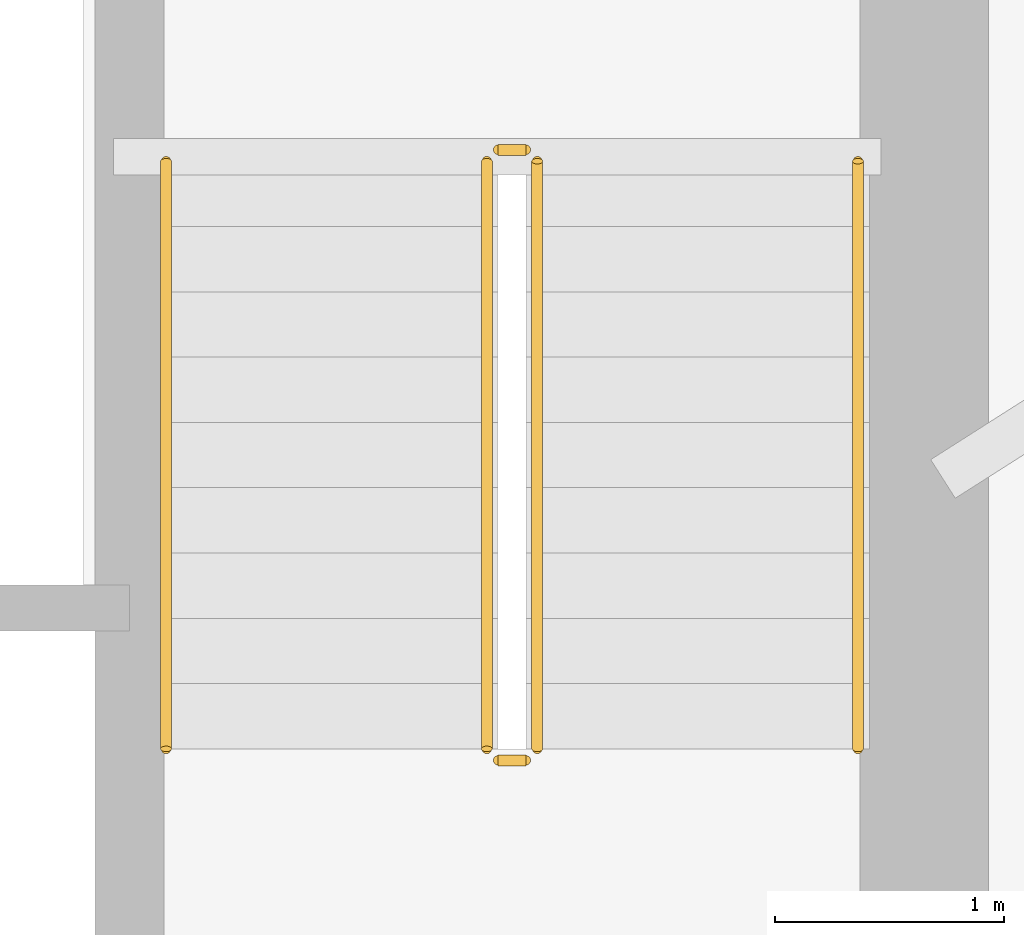
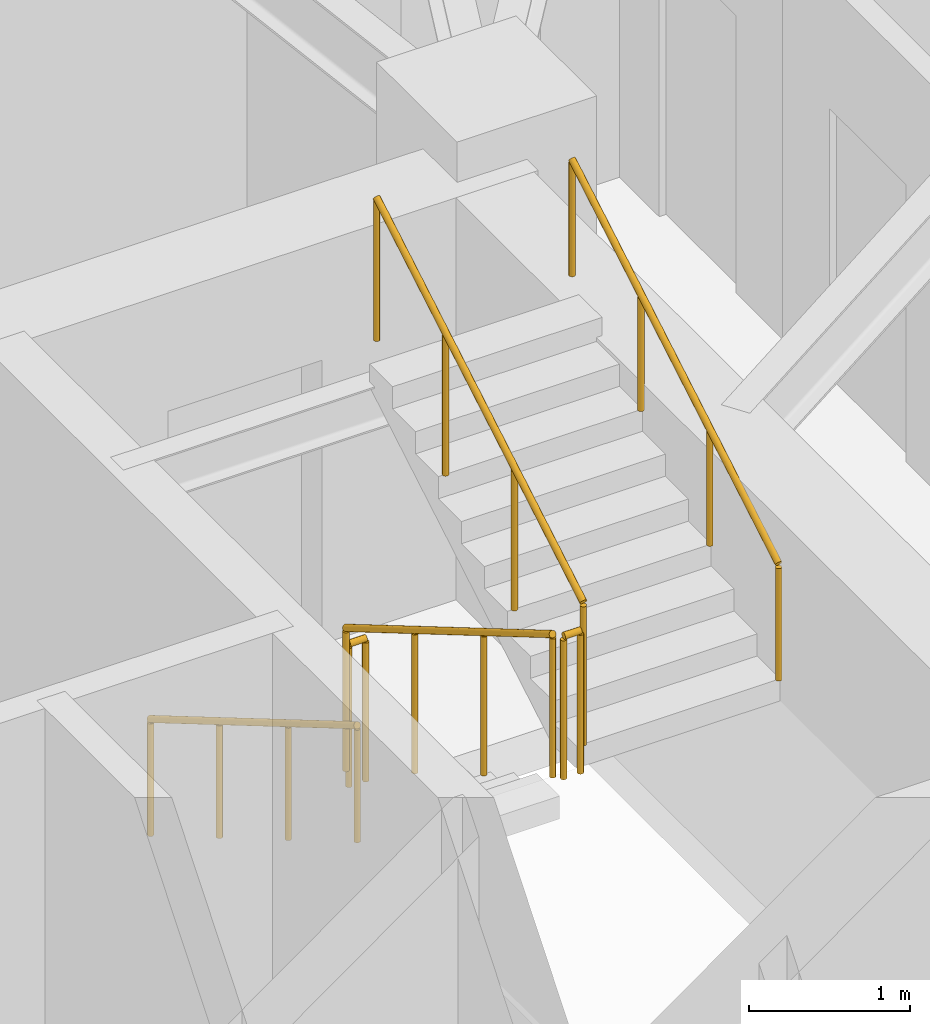
# One storey, part 19 of 20: 6 railings.
"""IFC4 building model written with IfcOpenShell, lengths in metres."""

from ifc_helpers import new_model, si_unit, direction, frame, origin, origin_2d, place, context, subcontext, project, spatial, circle, extrude, material, type_object, element, save


model = new_model("IFC4")

# Units and contexts
model_context = context("Model", 3, precision=1e-05, world=origin(), true_north=direction((0.0, 1.0)))
body_context = subcontext(model_context, "Body", "Model", "MODEL_VIEW")
ifc_project = project(units=[si_unit("LENGTHUNIT", "METRE"), si_unit("AREAUNIT", "SQUARE_METRE"), si_unit("VOLUMEUNIT", "CUBIC_METRE"), si_unit("PLANEANGLEUNIT", "RADIAN"), si_unit("MASSUNIT", "GRAM", prefix="KILO")], contexts=[model_context])

# Site, building, storey
site_placement = place(None, origin())
site = spatial("IfcSite", under=ifc_project, at=site_placement, CompositionType="ELEMENT")
building_placement = place(site_placement, origin())
building = spatial("IfcBuilding", under=site, at=building_placement, Name="Qobustan Lattice House", CompositionType="ELEMENT")
storey_placement = place(building_placement, frame((0.0, 0.0, 89.050048828125)))
storey = spatial("IfcBuildingStorey", under=building, at=storey_placement, Name="L24", CompositionType="ELEMENT", Elevation=89.050048828125)

# Railings
ifc_material_1 = material(Name="Brushed stainless steel handrail", Category="steel")
railing_type_1 = type_object("IfcRailingType", Name="RAL-HR-920", PredefinedType="HANDRAIL", material=ifc_material_1)
railing_1_placement = place(storey_placement, frame((15.179931640625, 3.5, 0.16748046875)))
element("IfcRailing", 1, at=railing_1_placement, inside=storey, type_object=railing_type_1, Name="L24 ST-E1 stair handrail 1", PredefinedType="HANDRAIL", context=body_context, shape_type="SweptSolid", body=[
    extrude(circle(Radius=0.02392578125, at=origin_2d()), frame((0.0, 0.0, 0.8759765625), z_axis=(0.0, -0.862113467892, 0.50671527358), x_axis=(1.0, 0.0, 0.0)), (0.0, 0.0, 1.0), 2.97509765625),
    extrude(circle(Radius=0.02099609375, at=origin_2d()), origin(), (0.0, 0.0, 1.0), 0.851806640625),
    extrude(circle(Radius=0.02099609375, at=origin_2d()), frame((0.0, -0.85498046875, 0.50244140625)), (0.0, 0.0, 1.0), 0.851806640625),
    extrude(circle(Radius=0.02099609375, at=origin_2d()), frame((0.0, -1.7099609375, 1.005126953125)), (0.0, 0.0, 1.0), 0.851806640625),
    extrude(circle(Radius=0.02099609375, at=origin_2d()), frame((0.0, -2.56494140625, 1.507568359375)), (0.0, 0.0, 1.0), 0.851806640625),
])
railing_2_placement = place(storey_placement, frame((18.199951171875, 0.93505859375, 1.842529296875)))
element("IfcRailing", 2, at=railing_2_placement, inside=storey, type_object=railing_type_1, Name="L24 ST-E1 stair handrail 2", PredefinedType="HANDRAIL", context=body_context, shape_type="SweptSolid", body=[
    extrude(circle(Radius=0.02392578125, at=origin_2d()), frame((0.0, 0.0, 0.8759765625), z_axis=(0.0, 0.862149314443, 0.506654280161), x_axis=(-1.0, 0.0, 0.0)), (0.0, 0.0, 1.0), 2.97509765625),
    extrude(circle(Radius=0.02099609375, at=origin_2d()), origin(), (0.0, 0.0, 1.0), 0.851806640625),
    extrude(circle(Radius=0.02099609375, at=origin_2d()), frame((0.0, 0.85498046875, 0.50244140625)), (0.0, 0.0, 1.0), 0.851806640625),
    extrude(circle(Radius=0.02099609375, at=origin_2d()), frame((0.0, 1.7099609375, 1.0048828125)), (0.0, 0.0, 1.0), 0.851806640625),
    extrude(circle(Radius=0.02099609375, at=origin_2d()), frame((0.0, 2.56494140625, 1.50732421875)), (0.0, 0.0, 1.0), 0.851806640625),
])
ifc_material_2 = material(Name="Painted galvanized steel guardrail", Category="steel")
railing_type_2 = type_object("IfcRailingType", Name="RAL-STG-1150", PredefinedType="GUARDRAIL", material=ifc_material_2)
railing_3_placement = place(storey_placement, frame((16.580078125, 3.5, 0.16748046875)))
element("IfcRailing", 3, at=railing_3_placement, inside=storey, type_object=railing_type_2, Name="L24 ST-E1 stair guard 1", PredefinedType="GUARDRAIL", context=body_context, shape_type="SweptSolid", body=[
    extrude(circle(Radius=0.02392578125, at=origin_2d()), frame((0.0, 0.0, 1.076171875), z_axis=(0.0, -0.862113467892, 0.50671527358), x_axis=(1.0, 0.0, 0.0)), (0.0, 0.0, 1.0), 2.97509765625),
    extrude(circle(Radius=0.02099609375, at=origin_2d()), origin(), (0.0, 0.0, 1.0), 1.052001953125),
    extrude(circle(Radius=0.02099609375, at=origin_2d()), frame((0.0, -0.85498046875, 0.50244140625)), (0.0, 0.0, 1.0), 1.052001953125),
    extrude(circle(Radius=0.02099609375, at=origin_2d()), frame((0.0, -1.7099609375, 1.005126953125)), (0.0, 0.0, 1.0), 1.052001953125),
    extrude(circle(Radius=0.02099609375, at=origin_2d()), frame((0.0, -2.56494140625, 1.507568359375)), (0.0, 0.0, 1.0), 1.052001953125),
])
railing_4_placement = place(storey_placement, frame((16.6298828125, 0.885009765625, 1.675048828125)))
element("IfcRailing", 4, at=railing_4_placement, inside=storey, type_object=railing_type_2, Name="L24 ST-E1 stair guard 2", PredefinedType="GUARDRAIL", context=body_context, shape_type="SweptSolid", body=[
    extrude(circle(Radius=0.02392578125, at=origin_2d()), frame((0.0, 0.0, 1.076171875), z_axis=(1.0, 0.0, 0.0), x_axis=(0.0, 1.0, 0.0)), (0.0, 0.0, 1.0), 0.1201171875),
    extrude(circle(Radius=0.02099609375, at=origin_2d()), origin(), (0.0, 0.0, 1.0), 1.052001953125),
    extrude(circle(Radius=0.02099609375, at=origin_2d()), frame((0.1201171875, 0.0, 0.0)), (0.0, 0.0, 1.0), 1.052001953125),
])
railing_5_placement = place(storey_placement, frame((16.800048828125, 0.93505859375, 1.842529296875)))
element("IfcRailing", 5, at=railing_5_placement, inside=storey, type_object=railing_type_2, Name="L24 ST-E1 stair guard 3", PredefinedType="GUARDRAIL", context=body_context, shape_type="SweptSolid", body=[
    extrude(circle(Radius=0.02392578125, at=origin_2d()), frame((0.0, 0.0, 1.076171875), z_axis=(0.0, 0.862149314443, 0.506654280161), x_axis=(-1.0, 0.0, 0.0)), (0.0, 0.0, 1.0), 2.97509765625),
    extrude(circle(Radius=0.02099609375, at=origin_2d()), origin(), (0.0, 0.0, 1.0), 1.052001953125),
    extrude(circle(Radius=0.02099609375, at=origin_2d()), frame((0.0, 0.85498046875, 0.50244140625)), (0.0, 0.0, 1.0), 1.052001953125),
    extrude(circle(Radius=0.02099609375, at=origin_2d()), frame((0.0, 1.7099609375, 1.0048828125)), (0.0, 0.0, 1.0), 1.052001953125),
    extrude(circle(Radius=0.02099609375, at=origin_2d()), frame((0.0, 2.56494140625, 1.50732421875)), (0.0, 0.0, 1.0), 1.052001953125),
])
railing_6_placement = place(storey_placement, frame((16.6298828125, 3.550048828125, 0.0)))
element("IfcRailing", 6, at=railing_6_placement, inside=storey, type_object=railing_type_2, Name="L24 ST-E1 stair guard 4", PredefinedType="GUARDRAIL", context=body_context, shape_type="SweptSolid", body=[
    extrude(circle(Radius=0.02392578125, at=origin_2d()), frame((0.0, 0.0, 1.076171875), z_axis=(1.0, 0.0, 0.0), x_axis=(0.0, 1.0, 0.0)), (0.0, 0.0, 1.0), 0.1201171875),
    extrude(circle(Radius=0.02099609375, at=origin_2d()), origin(), (0.0, 0.0, 1.0), 1.052001953125),
    extrude(circle(Radius=0.02099609375, at=origin_2d()), frame((0.1201171875, 0.0, 0.0)), (0.0, 0.0, 1.0), 1.052001953125),
])

save(model, "model.ifc")
